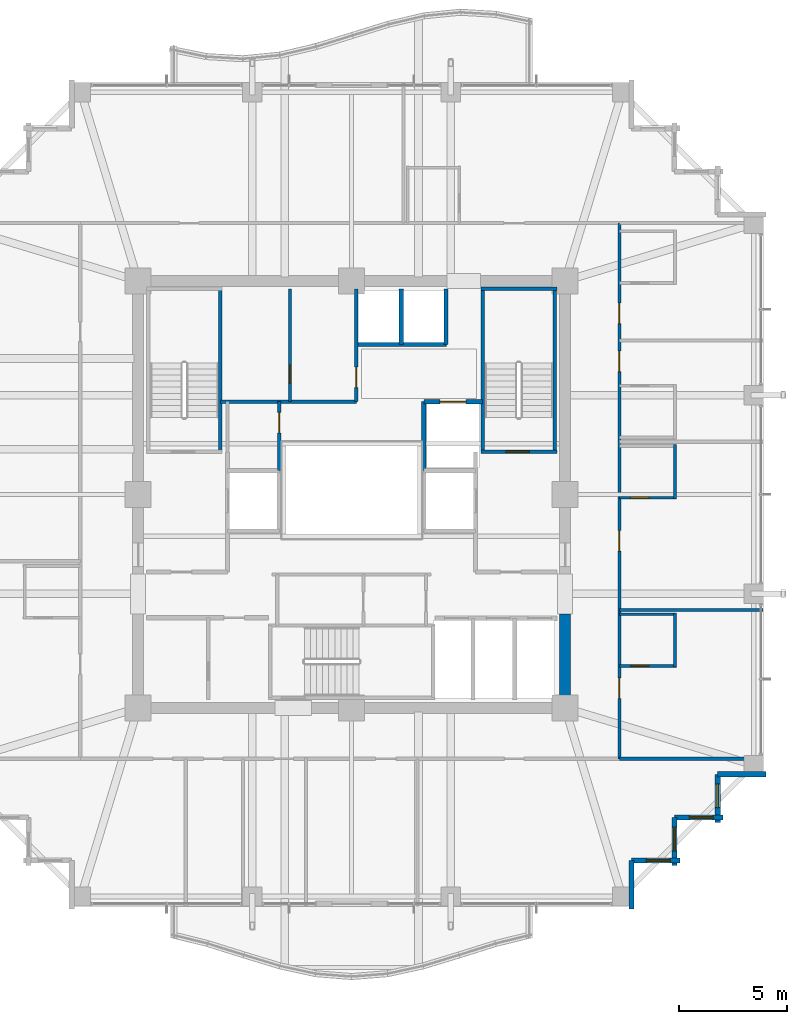
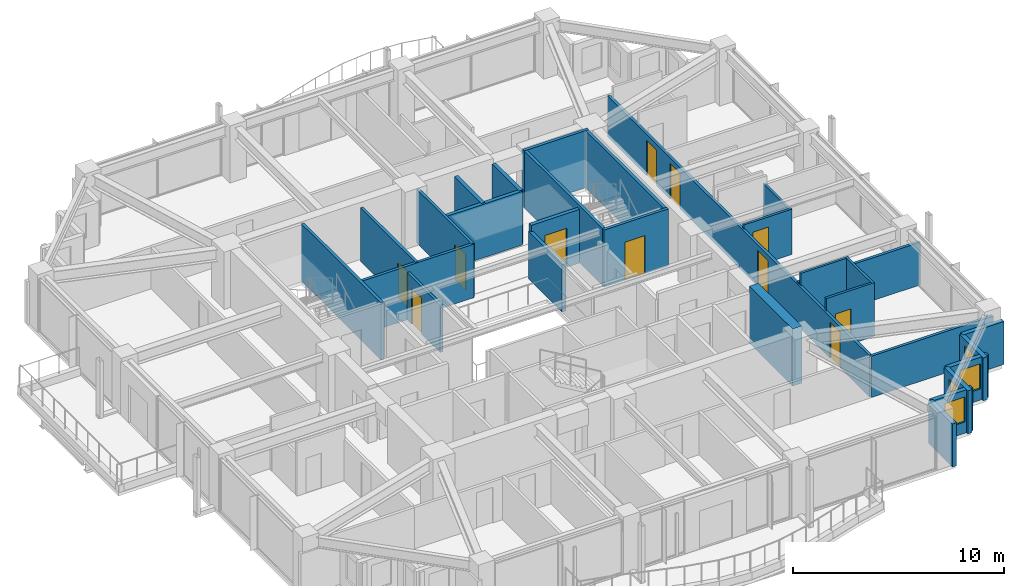
# One storey, part 29 of 34: 29 walls, 11 doors, 4 windows, 15 openings.
"""IFC4 building model written with IfcOpenShell, lengths in metres."""

from ifc_helpers import new_model, si_unit, direction, frame, frame_2d, origin, place, context, subcontext, project, spatial, rectangle, extrude, material, layer, layer_set, type_object, element, fill, save


model = new_model("IFC4")

# Units and contexts
model_context = context("Model", 3, precision=1e-05, world=origin(), true_north=direction((0.0, 1.0)))
body_context = subcontext(model_context, "Body", "Model", "MODEL_VIEW")
ifc_project = project(units=[si_unit("LENGTHUNIT", "METRE"), si_unit("AREAUNIT", "SQUARE_METRE"), si_unit("VOLUMEUNIT", "CUBIC_METRE"), si_unit("PLANEANGLEUNIT", "RADIAN"), si_unit("MASSUNIT", "GRAM", prefix="KILO")], contexts=[model_context])

# Site, building, storey
site_placement = place(None, origin())
site = spatial("IfcSite", under=ifc_project, at=site_placement, CompositionType="ELEMENT")
building_placement = place(site_placement, origin())
building = spatial("IfcBuilding", under=site, at=building_placement, Name="Kolvaren Belvedere", CompositionType="ELEMENT")
storey_placement = place(building_placement, frame((0.0, 0.0, 166.800048828125)))
storey = spatial("IfcBuildingStorey", under=building, at=storey_placement, Name="L48", CompositionType="ELEMENT", Elevation=166.800048828125)

# Walls
ifc_material_1 = material(Name="Concrete C50/60", Category="concrete")
ifc_layer_1 = layer(ifc_material_1, 0.5)
ifc_layer_set_1 = layer_set([ifc_layer_1], Name="Concrete C50/60")
wall_type_1 = type_object("IfcWallType", Name="CW-CORE-500", PredefinedType="SHEAR", material=ifc_layer_set_1)
wall_1_placement = place(storey_placement, frame((9.89990234375, -9.64990234375, 0.0), z_axis=(0.0, 0.0, 1.0), x_axis=(0.0, 1.0, 0.0)))
element("IfcWall", 1, at=wall_1_placement, inside=storey, type_object=wall_type_1, Name="L48 East Core Shear Wall 1", PredefinedType="SHEAR", context=body_context, shape_type="SweptSolid", body=[
    extrude(rectangle(XDim=4.099853515625, YDim=0.5, at=frame_2d((2.0498046875, 0.0))), origin(), (0.0, 0.0, 1.0), 3.300048828125),
])
ifc_material_2 = material(Name="Concrete C50/60", Category="concrete")
ifc_layer_2 = layer(ifc_material_2, 0.159912109375)
ifc_layer_set_2 = layer_set([ifc_layer_2], Name="Concrete C50/60")
wall_type_2 = type_object("IfcWallType", Name="CW-STAIR-160", PredefinedType="SHEAR", material=ifc_layer_set_2)
wall_2_placement = place(storey_placement, frame((-6.080078125, 1.969970703125, 0.0), z_axis=(0.0, 0.0, 1.0), x_axis=(0.0, 1.0, 0.0)))
element("IfcWall", 2, at=wall_2_placement, inside=storey, type_object=wall_type_2, Name="L48 Stair ST-1 East Shear Wall", PredefinedType="SHEAR", context=body_context, shape_type="SweptSolid", body=[
    extrude(rectangle(XDim=7.56005859375, YDim=0.159912109375, at=frame_2d((3.780029296875, 0.0))), origin(), (0.0, 0.0, 1.0), 3.300048828125),
])

# Wall, opening, door
wall_3_placement = place(storey_placement, frame((6.0, 1.969970703125, 0.0), z_axis=(0.0, 0.0, 1.0), x_axis=(1.0, 0.0, 0.0)))
wall_3 = element("IfcWall", 3, at=wall_3_placement, inside=storey, type_object=wall_type_2, Name="L48 Stair ST-2 South Shear Wall", PredefinedType="SHEAR", context=body_context, shape_type="SweptSolid", body=[
    extrude(rectangle(XDim=3.52001953125, YDim=0.159912109375, at=frame_2d((1.760009765625, 0.0))), origin(), (0.0, 0.0, 1.0), 3.300048828125),
])
opening_1_placement = place(wall_3_placement, frame((1.14990234375, 0.0, 0.0)))
opening_1 = element("IfcOpeningElement", 4, at=opening_1_placement, cuts=wall_3, Name="Opening D-FD90", PredefinedType="OPENING", context=body_context, shape_type="SweptSolid", body=[
    extrude(rectangle(XDim=1.10009765625, YDim=2.199951171875, at=frame_2d((0.550048828125, 1.10009765625))), frame((0.0, 0.08984375, 0.0), z_axis=(0.0, -1.0, 0.0), x_axis=(1.0, 0.0, 0.0)), (0.0, 0.0, 1.0), 0.179931640625),
])
ifc_material_3 = material(Name="Painted hollow stainless steel", Category="steel")
door_type_1 = type_object("IfcDoorType", Name="DR-FD90-1100", OperationType="NOTDEFINED", PredefinedType="DOOR", material=ifc_material_3)
door_1_placement = place(opening_1_placement, origin())
door_1 = element("IfcDoor", 5, at=door_1_placement, inside=storey, type_object=door_type_1, Name="L48 Stair ST-2 Fire Door", OperationType="SINGLE_SWING_RIGHT", OverallHeight=2.199951171875, OverallWidth=1.10009765625, PredefinedType="DOOR", context=body_context, shape_type="SweptSolid", body=[
    extrude(rectangle(XDim=1.10009765625, YDim=2.199951171875, at=frame_2d((0.550048828125, 1.10009765625))), frame((0.0, 0.02490234375, 0.0), z_axis=(0.0, -1.0, 0.0), x_axis=(1.0, 0.0, 0.0)), (0.0, 0.0, 1.0), 0.050048828125),
])
fill(opening_1, door_1)

# Walls
wall_4_placement = place(storey_placement, frame((6.0, 9.530029296875, 0.0), z_axis=(0.0, 0.0, 1.0), x_axis=(1.0, 0.0, 0.0)))
element("IfcWall", 6, at=wall_4_placement, inside=storey, type_object=wall_type_2, Name="L48 Stair ST-2 North Shear Wall", PredefinedType="SHEAR", context=body_context, shape_type="SweptSolid", body=[
    extrude(rectangle(XDim=3.52001953125, YDim=0.159912109375, at=frame_2d((1.760009765625, 0.0))), origin(), (0.0, 0.0, 1.0), 3.300048828125),
])
for number, where, z_axis, x_axis, name in (
    (7, (6.080078125, 1.969970703125, 0.0), (0.0, 0.0, 1.0), (0.0, 1.0, 0.0), "L48 Stair ST-2 West Shear Wall"),
    (8, (9.429931640625, 1.969970703125, 0.0), (0.0, 0.0, 1.0), (0.0, 1.0, 0.0), "L48 Stair ST-2 East Shear Wall"),
):
    element("IfcWall", number, at=place(storey_placement, frame(where, z_axis=z_axis, x_axis=x_axis)), inside=storey, type_object=wall_type_2, Name=name, PredefinedType="SHEAR", context=body_context, shape_type="SweptSolid", body=[
        extrude(rectangle(XDim=7.56005859375, YDim=0.159912109375, at=frame_2d((3.780029296875, 0.0))), origin(), (0.0, 0.0, 1.0), 3.300048828125),
    ])

# Wall, openings, doors
ifc_material_4 = material(Name="Gypsum fire-rated partition assembly", Category="gypsum")
ifc_layer_3 = layer(ifc_material_4, 0.14990234375)
ifc_layer_set_3 = layer_set([ifc_layer_3], Name="Gypsum fire-rated partition assembly")
wall_type_3 = type_object("IfcWallType", Name="WL-CORR-150", PredefinedType="PARTITIONING", material=ifc_layer_set_3)
wall_5_placement = place(storey_placement, frame((12.419921875, -12.260009765625, 0.0), z_axis=(0.0, 0.0, 1.0), x_axis=(0.0, 1.0, 0.0)))
wall_5 = element("IfcWall", 9, at=wall_5_placement, inside=storey, type_object=wall_type_3, Name="L48 East Corridor Wall", PredefinedType="PARTITIONING", context=body_context, shape_type="SweptSolid", body=[
    extrude(rectangle(XDim=24.840087890625, YDim=0.14990234375, at=frame_2d((12.419921875, 0.0))), origin(), (0.0, 0.0, 1.0), 2.388916015625),
])
opening_2_placement = place(wall_5_placement, frame((2.797607421875, 0.0, 0.0)))
opening_2 = element("IfcOpeningElement", 10, at=opening_2_placement, cuts=wall_5, Name="Opening D-FD60", PredefinedType="OPENING", context=body_context, shape_type="SweptSolid", body=[
    extrude(rectangle(XDim=0.949951171875, YDim=2.06005859375, at=frame_2d((0.47509765625, 1.030029296875))), frame((0.0, 0.0849609375, 0.0), z_axis=(0.0, -1.0, 0.0), x_axis=(1.0, 0.0, 0.0)), (0.0, 0.0, 1.0), 0.169921875),
])
opening_3_placement = place(wall_5_placement, frame((9.632568359375, 0.0, 0.0)))
opening_3 = element("IfcOpeningElement", 11, at=opening_3_placement, cuts=wall_5, Name="Opening D-FD60", PredefinedType="OPENING", context=body_context, shape_type="SweptSolid", body=[
    extrude(rectangle(XDim=0.949951171875, YDim=2.06005859375, at=frame_2d((0.47509765625, 1.030029296875))), frame((0.0, 0.0849609375, 0.0), z_axis=(0.0, -1.0, 0.0), x_axis=(1.0, 0.0, 0.0)), (0.0, 0.0, 1.0), 0.169921875),
])
opening_4_placement = place(wall_5_placement, frame((17.9580078125, 0.0, 0.0)))
opening_4 = element("IfcOpeningElement", 12, at=opening_4_placement, cuts=wall_5, Name="Opening D-FD60", PredefinedType="OPENING", context=body_context, shape_type="SweptSolid", body=[
    extrude(rectangle(XDim=0.949951171875, YDim=2.06005859375, at=frame_2d((0.47509765625, 1.030029296875))), frame((0.0, 0.0849609375, 0.0), z_axis=(0.0, -1.0, 0.0), x_axis=(1.0, 0.0, 0.0)), (0.0, 0.0, 1.0), 0.169921875),
])
opening_5_placement = place(wall_5_placement, frame((20.18359375, 0.0, 0.0)))
opening_5 = element("IfcOpeningElement", 13, at=opening_5_placement, cuts=wall_5, Name="Opening D-FD60", PredefinedType="OPENING", context=body_context, shape_type="SweptSolid", body=[
    extrude(rectangle(XDim=0.949951171875, YDim=2.06005859375, at=frame_2d((0.47509765625, 1.030029296875))), frame((0.0, 0.0849609375, 0.0), z_axis=(0.0, -1.0, 0.0), x_axis=(1.0, 0.0, 0.0)), (0.0, 0.0, 1.0), 0.169921875),
])
ifc_material_5 = material(Name="Acoustic white-oak fire door leaf", Category="timber")
door_type_2 = type_object("IfcDoorType", Name="DR-FD60-950", OperationType="NOTDEFINED", PredefinedType="DOOR", material=ifc_material_5)
door_2_placement = place(opening_2_placement, origin())
door_2 = element("IfcDoor", 14, at=door_2_placement, inside=storey, type_object=door_type_2, Name="L48 Botanical Hospitality Suite 4804 Entry Door", OperationType="SINGLE_SWING_RIGHT", OverallHeight=2.06005859375, OverallWidth=0.949951171875, PredefinedType="DOOR", context=body_context, shape_type="SweptSolid", body=[
    extrude(rectangle(XDim=0.949951171875, YDim=2.06005859375, at=frame_2d((0.47509765625, 1.030029296875))), frame((0.0, 0.02490234375, 0.0), z_axis=(0.0, -1.0, 0.0), x_axis=(1.0, 0.0, 0.0)), (0.0, 0.0, 1.0), 0.050048828125),
])
fill(opening_2, door_2)
door_3_placement = place(opening_3_placement, origin())
door_3 = element("IfcDoor", 15, at=door_3_placement, inside=storey, type_object=door_type_2, Name="L48 Botanical Hospitality Suite 4805 Entry Door", OperationType="SINGLE_SWING_RIGHT", OverallHeight=2.06005859375, OverallWidth=0.949951171875, PredefinedType="DOOR", context=body_context, shape_type="SweptSolid", body=[
    extrude(rectangle(XDim=0.949951171875, YDim=2.06005859375, at=frame_2d((0.47509765625, 1.030029296875))), frame((0.0, 0.02490234375, 0.0), z_axis=(0.0, -1.0, 0.0), x_axis=(1.0, 0.0, 0.0)), (0.0, 0.0, 1.0), 0.050048828125),
])
fill(opening_3, door_3)
door_4_placement = place(opening_4_placement, origin())
door_4 = element("IfcDoor", 16, at=door_4_placement, inside=storey, type_object=door_type_2, Name="L48 King Guest Room 4806 Entry Door", OperationType="SINGLE_SWING_RIGHT", OverallHeight=2.06005859375, OverallWidth=0.949951171875, PredefinedType="DOOR", context=body_context, shape_type="SweptSolid", body=[
    extrude(rectangle(XDim=0.949951171875, YDim=2.06005859375, at=frame_2d((0.47509765625, 1.030029296875))), frame((0.0, 0.02490234375, 0.0), z_axis=(0.0, -1.0, 0.0), x_axis=(1.0, 0.0, 0.0)), (0.0, 0.0, 1.0), 0.050048828125),
])
fill(opening_4, door_4)
door_5_placement = place(opening_5_placement, origin())
door_5 = element("IfcDoor", 17, at=door_5_placement, inside=storey, type_object=door_type_2, Name="L48 Botanical Hospitality Suite 4807 Entry Door", OperationType="SINGLE_SWING_RIGHT", OverallHeight=2.06005859375, OverallWidth=0.949951171875, PredefinedType="DOOR", context=body_context, shape_type="SweptSolid", body=[
    extrude(rectangle(XDim=0.949951171875, YDim=2.06005859375, at=frame_2d((0.47509765625, 1.030029296875))), frame((0.0, 0.02490234375, 0.0), z_axis=(0.0, -1.0, 0.0), x_axis=(1.0, 0.0, 0.0)), (0.0, 0.0, 1.0), 0.050048828125),
])
fill(opening_5, door_5)

# Wall
ifc_material_6 = material(Name="Insulated pale-metal facade wall assembly", Category="aluminium")
ifc_layer_4 = layer(ifc_material_6, 0.239990234375)
ifc_layer_set_4 = layer_set([ifc_layer_4], Name="Insulated pale-metal facade wall assembly")
wall_type_4 = type_object("IfcWallType", Name="WL-EXT-240", PredefinedType="STANDARD", material=ifc_layer_set_4)
wall_6_placement = place(storey_placement, frame((12.97998046875, -16.97998046875, 0.0), z_axis=(0.0, 0.0, 1.0), x_axis=(0.0, -1.0, 0.0)))
element("IfcWall", 18, at=wall_6_placement, inside=storey, type_object=wall_type_4, Name="L48 Serrated Corner Facade Wall 2", PredefinedType="STANDARD", context=body_context, shape_type="SweptSolid", body=[
    extrude(rectangle(XDim=2.239990234375, YDim=0.239990234375, at=frame_2d((1.1201171875, 0.0))), origin(), (0.0, 0.0, 1.0), 2.48291015625),
])

# Wall, opening, window
wall_7_placement = place(storey_placement, frame((15.219970703125, -16.97998046875, 0.0), z_axis=(0.0, 0.0, 1.0), x_axis=(-1.0, 0.0, 0.0)))
wall_7 = element("IfcWall", 19, at=wall_7_placement, inside=storey, type_object=wall_type_4, Name="L48 Serrated Corner Facade Wall 3", PredefinedType="STANDARD", context=body_context, shape_type="SweptSolid", body=[
    extrude(rectangle(XDim=2.239990234375, YDim=0.239990234375, at=frame_2d((1.1201171875, 0.0))), origin(), (0.0, 0.0, 1.0), 2.48291015625),
])
opening_6_placement = place(wall_7_placement, frame((0.449951171875, 0.0, 0.64990234375)))
opening_6 = element("IfcOpeningElement", 20, at=opening_6_placement, cuts=wall_7, Name="Opening W-1100", PredefinedType="OPENING", context=body_context, shape_type="SweptSolid", body=[
    extrude(rectangle(XDim=1.10009765625, YDim=1.449951171875, at=frame_2d((0.550048828125, 0.72509765625))), frame((0.0, 0.1298828125, 0.0), z_axis=(0.0, -1.0, 0.0), x_axis=(1.0, 0.0, 0.0)), (0.0, 0.0, 1.0), 0.260009765625),
])
ifc_material_7 = material(Name="Low-iron triple insulated glass", Category="glass")
window_type = type_object("IfcWindowType", Name="WN-CORN-1100", PartitioningType="SINGLE_PANEL", PredefinedType="WINDOW", material=ifc_material_7)
window_1_placement = place(opening_6_placement, origin())
window_1 = element("IfcWindow", 21, at=window_1_placement, inside=storey, type_object=window_type, Name="L48 Serrated Corner Vision Window 3", OverallHeight=1.449951171875, OverallWidth=1.10009765625, PartitioningType="SINGLE_PANEL", PredefinedType="WINDOW", context=body_context, shape_type="SweptSolid", body=[
    extrude(rectangle(XDim=1.10009765625, YDim=1.449951171875, at=frame_2d((0.550048828125, 0.72509765625))), frame((0.0, 0.030029296875, 0.0), z_axis=(0.0, -1.0, 0.0), x_axis=(1.0, 0.0, 0.0)), (0.0, 0.0, 1.0), 0.06005859375),
])
fill(opening_6, window_1)

wall_8_placement = place(storey_placement, frame((14.97998046875, -14.97998046875, 0.0), z_axis=(0.0, 0.0, 1.0), x_axis=(0.0, -1.0, 0.0)))
wall_8 = element("IfcWall", 22, at=wall_8_placement, inside=storey, type_object=wall_type_4, Name="L48 Serrated Corner Facade Wall 4", PredefinedType="STANDARD", context=body_context, shape_type="SweptSolid", body=[
    extrude(rectangle(XDim=2.239990234375, YDim=0.239990234375, at=frame_2d((1.1201171875, 0.0))), origin(), (0.0, 0.0, 1.0), 2.48291015625),
])
opening_7_placement = place(wall_8_placement, frame((0.449951171875, 0.0, 0.64990234375)))
opening_7 = element("IfcOpeningElement", 23, at=opening_7_placement, cuts=wall_8, Name="Opening W-1100", PredefinedType="OPENING", context=body_context, shape_type="SweptSolid", body=[
    extrude(rectangle(XDim=1.10009765625, YDim=1.449951171875, at=frame_2d((0.550048828125, 0.72509765625))), frame((0.0, 0.1298828125, 0.0), z_axis=(0.0, -1.0, 0.0), x_axis=(1.0, 0.0, 0.0)), (0.0, 0.0, 1.0), 0.260009765625),
])
window_2_placement = place(opening_7_placement, origin())
window_2 = element("IfcWindow", 24, at=window_2_placement, inside=storey, type_object=window_type, Name="L48 Serrated Corner Vision Window 4", OverallHeight=1.449951171875, OverallWidth=1.10009765625, PartitioningType="SINGLE_PANEL", PredefinedType="WINDOW", context=body_context, shape_type="SweptSolid", body=[
    extrude(rectangle(XDim=1.10009765625, YDim=1.449951171875, at=frame_2d((0.550048828125, 0.72509765625))), frame((0.0, 0.030029296875, 0.0), z_axis=(0.0, -1.0, 0.0), x_axis=(1.0, 0.0, 0.0)), (0.0, 0.0, 1.0), 0.06005859375),
])
fill(opening_7, window_2)

wall_9_placement = place(storey_placement, frame((17.219970703125, -14.97998046875, 0.0), z_axis=(0.0, 0.0, 1.0), x_axis=(-1.0, 0.0, 0.0)))
wall_9 = element("IfcWall", 25, at=wall_9_placement, inside=storey, type_object=wall_type_4, Name="L48 Serrated Corner Facade Wall 5", PredefinedType="STANDARD", context=body_context, shape_type="SweptSolid", body=[
    extrude(rectangle(XDim=2.239990234375, YDim=0.239990234375, at=frame_2d((1.1201171875, 0.0))), origin(), (0.0, 0.0, 1.0), 2.48291015625),
])
opening_8_placement = place(wall_9_placement, frame((0.449951171875, 0.0, 0.64990234375)))
opening_8 = element("IfcOpeningElement", 26, at=opening_8_placement, cuts=wall_9, Name="Opening W-1100", PredefinedType="OPENING", context=body_context, shape_type="SweptSolid", body=[
    extrude(rectangle(XDim=1.10009765625, YDim=1.449951171875, at=frame_2d((0.550048828125, 0.72509765625))), frame((0.0, 0.1298828125, 0.0), z_axis=(0.0, -1.0, 0.0), x_axis=(1.0, 0.0, 0.0)), (0.0, 0.0, 1.0), 0.260009765625),
])
window_3_placement = place(opening_8_placement, origin())
window_3 = element("IfcWindow", 27, at=window_3_placement, inside=storey, type_object=window_type, Name="L48 Serrated Corner Vision Window 5", OverallHeight=1.449951171875, OverallWidth=1.10009765625, PartitioningType="SINGLE_PANEL", PredefinedType="WINDOW", context=body_context, shape_type="SweptSolid", body=[
    extrude(rectangle(XDim=1.10009765625, YDim=1.449951171875, at=frame_2d((0.550048828125, 0.72509765625))), frame((0.0, 0.030029296875, 0.0), z_axis=(0.0, -1.0, 0.0), x_axis=(1.0, 0.0, 0.0)), (0.0, 0.0, 1.0), 0.06005859375),
])
fill(opening_8, window_3)

wall_10_placement = place(storey_placement, frame((16.97998046875, -12.97998046875, 0.0), z_axis=(0.0, 0.0, 1.0), x_axis=(0.0, -1.0, 0.0)))
wall_10 = element("IfcWall", 28, at=wall_10_placement, inside=storey, type_object=wall_type_4, Name="L48 Serrated Corner Facade Wall 6", PredefinedType="STANDARD", context=body_context, shape_type="SweptSolid", body=[
    extrude(rectangle(XDim=2.239990234375, YDim=0.239990234375, at=frame_2d((1.1201171875, 0.0))), origin(), (0.0, 0.0, 1.0), 2.48291015625),
])
opening_9_placement = place(wall_10_placement, frame((0.449951171875, 0.0, 0.64990234375)))
opening_9 = element("IfcOpeningElement", 29, at=opening_9_placement, cuts=wall_10, Name="Opening W-1100", PredefinedType="OPENING", context=body_context, shape_type="SweptSolid", body=[
    extrude(rectangle(XDim=1.10009765625, YDim=1.449951171875, at=frame_2d((0.550048828125, 0.72509765625))), frame((0.0, 0.1298828125, 0.0), z_axis=(0.0, -1.0, 0.0), x_axis=(1.0, 0.0, 0.0)), (0.0, 0.0, 1.0), 0.260009765625),
])
window_4_placement = place(opening_9_placement, origin())
window_4 = element("IfcWindow", 30, at=window_4_placement, inside=storey, type_object=window_type, Name="L48 Serrated Corner Vision Window 6", OverallHeight=1.449951171875, OverallWidth=1.10009765625, PartitioningType="SINGLE_PANEL", PredefinedType="WINDOW", context=body_context, shape_type="SweptSolid", body=[
    extrude(rectangle(XDim=1.10009765625, YDim=1.449951171875, at=frame_2d((0.550048828125, 0.72509765625))), frame((0.0, 0.030029296875, 0.0), z_axis=(0.0, -1.0, 0.0), x_axis=(1.0, 0.0, 0.0)), (0.0, 0.0, 1.0), 0.06005859375),
])
fill(opening_9, window_4)

# Walls
wall_11_placement = place(storey_placement, frame((19.219970703125, -12.97998046875, 0.0), z_axis=(0.0, 0.0, 1.0), x_axis=(-1.0, 0.0, 0.0)))
element("IfcWall", 31, at=wall_11_placement, inside=storey, type_object=wall_type_4, Name="L48 Serrated Corner Facade Wall 7", PredefinedType="STANDARD", context=body_context, shape_type="SweptSolid", body=[
    extrude(rectangle(XDim=2.239990234375, YDim=0.239990234375, at=frame_2d((1.1201171875, 0.0))), origin(), (0.0, 0.0, 1.0), 2.48291015625),
])
ifc_material_8 = material(Name="Gypsum acoustic partition assembly", Category="gypsum")
ifc_layer_5 = layer(ifc_material_8, 0.14990234375)
ifc_layer_set_5 = layer_set([ifc_layer_5], Name="Gypsum acoustic partition assembly")
wall_type_5 = type_object("IfcWallType", Name="WL-PART-150", PredefinedType="PARTITIONING", material=ifc_layer_set_5)
wall_12_placement = place(storey_placement, frame((-6.080078125, 4.300048828125, 0.0), z_axis=(0.0, 0.0, 1.0), x_axis=(1.0, 0.0, 0.0)))
element("IfcWall", 32, at=wall_12_placement, inside=storey, type_object=wall_type_5, Name="L48 Reclaimed Salon South Wall", PredefinedType="PARTITIONING", context=body_context, shape_type="SweptSolid", body=[
    extrude(rectangle(XDim=6.300048828125, YDim=0.14990234375, at=frame_2d((3.14990234375, 0.0))), origin(), (0.0, 0.0, 1.0), 3.099853515625),
])

# Wall, opening, door
wall_13_placement = place(storey_placement, frame((0.219970703125, 4.300048828125, 0.0), z_axis=(0.0, 0.0, 1.0), x_axis=(0.0, 1.0, 0.0)))
wall_13 = element("IfcWall", 33, at=wall_13_placement, inside=storey, type_object=wall_type_5, Name="L48 Reclaimed Salon East Wall", PredefinedType="PARTITIONING", context=body_context, shape_type="SweptSolid", body=[
    extrude(rectangle(XDim=5.219970703125, YDim=0.14990234375, at=frame_2d((2.60986328125, 0.0))), origin(), (0.0, 0.0, 1.0), 3.099853515625),
])
opening_10_placement = place(wall_13_placement, frame((0.64990234375, 0.0, 0.0)))
opening_10 = element("IfcOpeningElement", 34, at=opening_10_placement, cuts=wall_13, Name="Opening D-INT95", PredefinedType="OPENING", context=body_context, shape_type="SweptSolid", body=[
    extrude(rectangle(XDim=0.949951171875, YDim=2.06005859375, at=frame_2d((0.47509765625, 1.030029296875))), frame((0.0, 0.0849609375, 0.0), z_axis=(0.0, -1.0, 0.0), x_axis=(1.0, 0.0, 0.0)), (0.0, 0.0, 1.0), 0.169921875),
])
ifc_material_9 = material(Name="Stained Pacific white oak", Category="timber")
door_type_3 = type_object("IfcDoorType", Name="DR-INT-950", OperationType="NOTDEFINED", PredefinedType="DOOR", material=ifc_material_9)
door_6_placement = place(opening_10_placement, origin())
door_6 = element("IfcDoor", 35, at=door_6_placement, inside=storey, type_object=door_type_3, Name="L48 Sky Boardroom Door", OperationType="SINGLE_SWING_LEFT", OverallHeight=2.06005859375, OverallWidth=0.949951171875, PredefinedType="DOOR", context=body_context, shape_type="SweptSolid", body=[
    extrude(rectangle(XDim=0.949951171875, YDim=2.06005859375, at=frame_2d((0.47509765625, 1.030029296875))), frame((0.0, 0.02490234375, 0.0), z_axis=(0.0, -1.0, 0.0), x_axis=(1.0, 0.0, 0.0)), (0.0, 0.0, 1.0), 0.050048828125),
])
fill(opening_10, door_6)

wall_14_placement = place(storey_placement, frame((-2.85009765625, 4.300048828125, 0.0), z_axis=(0.0, 0.0, 1.0), x_axis=(0.0, 1.0, 0.0)))
wall_14 = element("IfcWall", 36, at=wall_14_placement, inside=storey, type_object=wall_type_5, Name="L48 Reclaimed Salon Divider", PredefinedType="PARTITIONING", context=body_context, shape_type="SweptSolid", body=[
    extrude(rectangle(XDim=5.219970703125, YDim=0.14990234375, at=frame_2d((2.60986328125, 0.0))), origin(), (0.0, 0.0, 1.0), 3.099853515625),
])
opening_11_placement = place(wall_14_placement, frame((0.85009765625, 0.0, 0.0)))
opening_11 = element("IfcOpeningElement", 37, at=opening_11_placement, cuts=wall_14, Name="Opening D-INT85", PredefinedType="OPENING", context=body_context, shape_type="SweptSolid", body=[
    extrude(rectangle(XDim=0.85009765625, YDim=2.030029296875, at=frame_2d((0.425048828125, 1.01513671875))), frame((0.0, 0.0849609375, 0.0), z_axis=(0.0, -1.0, 0.0), x_axis=(1.0, 0.0, 0.0)), (0.0, 0.0, 1.0), 0.169921875),
])
ifc_material_10 = material(Name="Stained Pacific white oak", Category="timber")
door_type_4 = type_object("IfcDoorType", Name="DR-INT-850", OperationType="NOTDEFINED", PredefinedType="DOOR", material=ifc_material_10)
door_7_placement = place(opening_11_placement, origin())
door_7 = element("IfcDoor", 38, at=door_7_placement, inside=storey, type_object=door_type_4, Name="L48 Beverage Pantry Door", OperationType="SINGLE_SWING_RIGHT", OverallHeight=2.030029296875, OverallWidth=0.85009765625, PredefinedType="DOOR", context=body_context, shape_type="SweptSolid", body=[
    extrude(rectangle(XDim=0.85009765625, YDim=2.030029296875, at=frame_2d((0.425048828125, 1.01513671875))), frame((0.0, 0.02490234375, 0.0), z_axis=(0.0, -1.0, 0.0), x_axis=(1.0, 0.0, 0.0)), (0.0, 0.0, 1.0), 0.050048828125),
])
fill(opening_11, door_7)

wall_15_placement = place(storey_placement, frame((-3.35009765625, 1.10009765625, 0.0), z_axis=(0.0, 0.0, 1.0), x_axis=(0.0, 1.0, 0.0)))
wall_15 = element("IfcWall", 39, at=wall_15_placement, inside=storey, type_object=wall_type_5, Name="L48 NW Service Room East Wall", PredefinedType="PARTITIONING", context=body_context, shape_type="SweptSolid", body=[
    extrude(rectangle(XDim=3.199951171875, YDim=0.14990234375, at=frame_2d((1.60009765625, 0.0))), origin(), (0.0, 0.0, 1.0), 2.73486328125),
])
opening_12_placement = place(wall_15_placement, frame((1.75, 0.0, 0.0)))
opening_12 = element("IfcOpeningElement", 40, at=opening_12_placement, cuts=wall_15, Name="Opening D-FD60", PredefinedType="OPENING", context=body_context, shape_type="SweptSolid", body=[
    extrude(rectangle(XDim=0.949951171875, YDim=2.06005859375, at=frame_2d((0.47509765625, 1.030029296875))), frame((0.0, 0.0849609375, 0.0), z_axis=(0.0, -1.0, 0.0), x_axis=(1.0, 0.0, 0.0)), (0.0, 0.0, 1.0), 0.169921875),
])
door_8_placement = place(opening_12_placement, origin())
door_8 = element("IfcDoor", 41, at=door_8_placement, inside=storey, type_object=door_type_2, Name="L48 NW Core Store Door", OperationType="SINGLE_SWING_LEFT", OverallHeight=2.06005859375, OverallWidth=0.949951171875, PredefinedType="DOOR", context=body_context, shape_type="SweptSolid", body=[
    extrude(rectangle(XDim=0.949951171875, YDim=2.06005859375, at=frame_2d((0.47509765625, 1.030029296875))), frame((0.0, 0.02490234375, 0.0), z_axis=(0.0, -1.0, 0.0), x_axis=(1.0, 0.0, 0.0)), (0.0, 0.0, 1.0), 0.050048828125),
])
fill(opening_12, door_8)

# Walls
wall_16_placement = place(storey_placement, frame((12.419921875, -12.260009765625, 0.0), z_axis=(0.0, 0.0, 1.0), x_axis=(1.0, 0.0, 0.0)))
element("IfcWall", 42, at=wall_16_placement, inside=storey, type_object=wall_type_5, Name="L48 Wing Divider PW-L48-QSE", PredefinedType="PARTITIONING", context=body_context, shape_type="SweptSolid", body=[
    extrude(rectangle(XDim=6.66015625, YDim=0.14990234375, at=frame_2d((3.330078125, 0.0))), origin(), (0.0, 0.0, 1.0), 2.388916015625),
])
wall_17_placement = place(storey_placement, frame((12.419921875, -5.360107421875, 0.0), z_axis=(0.0, 0.0, 1.0), x_axis=(1.0, 0.0, 0.0)))
element("IfcWall", 43, at=wall_17_placement, inside=storey, type_object=wall_type_5, Name="L48 East Suite Demising Wall 1", PredefinedType="PARTITIONING", context=body_context, shape_type="SweptSolid", body=[
    extrude(rectangle(XDim=6.66015625, YDim=0.14990234375, at=frame_2d((3.330078125, 0.0))), origin(), (0.0, 0.0, 1.0), 2.472900390625),
])

# Wall, opening, door
ifc_material_11 = material(Name="Concrete C50/60", Category="concrete")
ifc_layer_6 = layer(ifc_material_11, 0.199951171875)
ifc_layer_set_6 = layer_set([ifc_layer_6], Name="Concrete C50/60")
wall_type_6 = type_object("IfcWallType", Name="WL-SHAFT-200", PredefinedType="SOLIDWALL", material=ifc_layer_set_6)
wall_18_placement = place(storey_placement, frame((3.35009765625, 4.300048828125, 0.0), z_axis=(0.0, 0.0, 1.0), x_axis=(1.0, 0.0, 0.0)))
wall_18 = element("IfcWall", 44, at=wall_18_placement, inside=storey, type_object=wall_type_6, Name="L48 Service Lift SV1 Front Wall", PredefinedType="SOLIDWALL", context=body_context, shape_type="SweptSolid", body=[
    extrude(rectangle(XDim=2.72998046875, YDim=0.199951171875, at=frame_2d((1.364990234375, 0.0))), origin(), (0.0, 0.0, 1.0), 3.099853515625),
])
opening_13_placement = place(wall_18_placement, frame((0.75, 0.0, 0.0)))
opening_13 = element("IfcOpeningElement", 45, at=opening_13_placement, cuts=wall_18, Name="Opening LD-12", PredefinedType="OPENING", context=body_context, shape_type="SweptSolid", body=[
    extrude(rectangle(XDim=1.199951171875, YDim=2.25, at=frame_2d((0.60009765625, 1.125))), frame((0.0, 0.10986328125, 0.0), z_axis=(0.0, -1.0, 0.0), x_axis=(1.0, 0.0, 0.0)), (0.0, 0.0, 1.0), 0.219970703125),
])
ifc_material_12 = material(Name="Brushed stainless steel", Category="steel")
door_type_5 = type_object("IfcDoorType", Name="DR-LIFT-1200", OperationType="DOUBLE_DOOR_SLIDING", PredefinedType="DOOR", material=ifc_material_12)
door_9_placement = place(opening_13_placement, origin())
door_9 = element("IfcDoor", 46, at=door_9_placement, inside=storey, type_object=door_type_5, Name="L48 Service Lift SV1 Landing Door", OperationType="DOUBLE_DOOR_SLIDING", OverallHeight=2.25, OverallWidth=1.199951171875, PredefinedType="DOOR", context=body_context, shape_type="SweptSolid", body=[
    extrude(rectangle(XDim=1.199951171875, YDim=2.25, at=frame_2d((0.60009765625, 1.125))), frame((0.0, 0.02490234375, 0.0), z_axis=(0.0, -1.0, 0.0), x_axis=(1.0, 0.0, 0.0)), (0.0, 0.0, 1.0), 0.050048828125),
])
fill(opening_13, door_9)

# Walls
wall_19_placement = place(storey_placement, frame((3.35009765625, 1.10009765625, 0.0), z_axis=(0.0, 0.0, 1.0), x_axis=(0.0, 1.0, 0.0)))
element("IfcWall", 47, at=wall_19_placement, inside=storey, type_object=wall_type_6, Name="L48 Service Lift SV1 West Wall", PredefinedType="SOLIDWALL", context=body_context, shape_type="SweptSolid", body=[
    extrude(rectangle(XDim=3.199951171875, YDim=0.199951171875, at=frame_2d((1.60009765625, 0.0))), origin(), (0.0, 0.0, 1.0), 2.73486328125),
])
wall_20_placement = place(storey_placement, frame((0.219970703125, 6.949951171875, 0.0), z_axis=(0.0, 0.0, 1.0), x_axis=(1.0, 0.0, 0.0)))
element("IfcWall", 48, at=wall_20_placement, inside=storey, type_object=wall_type_6, Name="L48 Express Shuttle Hoistway Wall", PredefinedType="SOLIDWALL", context=body_context, shape_type="SweptSolid", body=[
    extrude(rectangle(XDim=4.179931640625, YDim=0.199951171875, at=frame_2d((2.08984375, 0.0))), origin(), (0.0, 0.0, 1.0), 3.099853515625),
])
for number, where, z_axis, x_axis, name in (
    (49, (4.3798828125, 6.949951171875, 0.0), (0.0, 0.0, 1.0), (0.0, 1.0, 0.0), "L48 Express Shuttle East Wall"),
    (50, (2.31005859375, 6.949951171875, 0.0), (0.0, 0.0, 1.0), (0.0, 1.0, 0.0), "L48 Express Shuttle Divider"),
):
    element("IfcWall", number, at=place(storey_placement, frame(where, z_axis=z_axis, x_axis=x_axis)), inside=storey, type_object=wall_type_6, Name=name, PredefinedType="SOLIDWALL", context=body_context, shape_type="SweptSolid", body=[
        extrude(rectangle(XDim=2.570068359375, YDim=0.199951171875, at=frame_2d((1.28515625, 0.0))), origin(), (0.0, 0.0, 1.0), 3.099853515625),
    ])

# Wall, opening, door
ifc_material_13 = material(Name="Moisture-resistant gypsum partition", Category="gypsum")
ifc_layer_7 = layer(ifc_material_13, 0.125)
ifc_layer_set_7 = layer_set([ifc_layer_7], Name="Moisture-resistant gypsum partition")
wall_type_7 = type_object("IfcWallType", Name="WL-WET-125", PredefinedType="PARTITIONING", material=ifc_layer_set_7)
wall_21_placement = place(storey_placement, frame((12.43505859375, -7.955078125, 0.0), z_axis=(0.0, 0.0, 1.0), x_axis=(1.0, 0.0, 0.0)))
wall_21 = element("IfcWall", 51, at=wall_21_placement, inside=storey, type_object=wall_type_7, Name="L48 Bathroom Partition PW-L48-BTH-4-N", PredefinedType="PARTITIONING", context=body_context, shape_type="SweptSolid", body=[
    extrude(rectangle(XDim=2.639892578125, YDim=0.125, at=frame_2d((1.31982421875, 0.0))), origin(), (0.0, 0.0, 1.0), 3.099853515625),
])
opening_14_placement = place(wall_21_placement, frame((0.5, 0.0, 0.0)))
opening_14 = element("IfcOpeningElement", 52, at=opening_14_placement, cuts=wall_21, Name="Opening D-BTH85", PredefinedType="OPENING", context=body_context, shape_type="SweptSolid", body=[
    extrude(rectangle(XDim=0.85009765625, YDim=2.030029296875, at=frame_2d((0.425048828125, 1.01513671875))), frame((0.0, 0.072509765625, 0.0), z_axis=(0.0, -1.0, 0.0), x_axis=(1.0, 0.0, 0.0)), (0.0, 0.0, 1.0), 0.14501953125),
])
ifc_material_14 = material(Name="Moisture-sealed Pacific white oak", Category="timber")
door_type_6 = type_object("IfcDoorType", Name="DR-BATH-850", OperationType="NOTDEFINED", PredefinedType="DOOR", material=ifc_material_14)
door_10_placement = place(opening_14_placement, origin())
door_10 = element("IfcDoor", 53, at=door_10_placement, inside=storey, type_object=door_type_6, Name="L48 En-Suite Bathroom 4804 Door", OperationType="SINGLE_SWING_LEFT", OverallHeight=2.030029296875, OverallWidth=0.85009765625, PredefinedType="DOOR", context=body_context, shape_type="SweptSolid", body=[
    extrude(rectangle(XDim=0.85009765625, YDim=2.030029296875, at=frame_2d((0.425048828125, 1.01513671875))), frame((0.0, 0.02490234375, 0.0), z_axis=(0.0, -1.0, 0.0), x_axis=(1.0, 0.0, 0.0)), (0.0, 0.0, 1.0), 0.050048828125),
])
fill(opening_14, door_10)

# Walls
wall_22_placement = place(storey_placement, frame((14.9951171875, -8.014892578125, 0.0), z_axis=(0.0, 0.0, 1.0), x_axis=(0.0, 1.0, 0.0)))
element("IfcWall", 54, at=wall_22_placement, inside=storey, type_object=wall_type_7, Name="L48 Bathroom Partition PW-L48-BTH-4-V", PredefinedType="PARTITIONING", context=body_context, shape_type="SweptSolid", body=[
    extrude(rectangle(XDim=2.519775390625, YDim=0.125, at=frame_2d((1.259765625, 0.0))), origin(), (0.0, 0.0, 1.0), 3.099853515625),
])
wall_23_placement = place(storey_placement, frame((12.43505859375, -5.554931640625, 0.0), z_axis=(0.0, 0.0, 1.0), x_axis=(1.0, 0.0, 0.0)))
element("IfcWall", 55, at=wall_23_placement, inside=storey, type_object=wall_type_7, Name="L48 Bathroom Partition PW-L48-BTH-4-S", PredefinedType="PARTITIONING", context=body_context, shape_type="SweptSolid", body=[
    extrude(rectangle(XDim=2.639892578125, YDim=0.125, at=frame_2d((1.31982421875, 0.0))), origin(), (0.0, 0.0, 1.0), 3.099853515625),
])

# Wall, opening, door
wall_24_placement = place(storey_placement, frame((12.43505859375, -0.155029296875, 0.0), z_axis=(0.0, 0.0, 1.0), x_axis=(1.0, 0.0, 0.0)))
wall_24 = element("IfcWall", 56, at=wall_24_placement, inside=storey, type_object=wall_type_7, Name="L48 Bathroom Partition PW-L48-BTH-5-N", PredefinedType="PARTITIONING", context=body_context, shape_type="SweptSolid", body=[
    extrude(rectangle(XDim=2.639892578125, YDim=0.125, at=frame_2d((1.31982421875, 0.0))), origin(), (0.0, 0.0, 1.0), 2.625),
])
opening_15_placement = place(wall_24_placement, frame((0.5, 0.0, 0.0)))
opening_15 = element("IfcOpeningElement", 57, at=opening_15_placement, cuts=wall_24, Name="Opening D-BTH85", PredefinedType="OPENING", context=body_context, shape_type="SweptSolid", body=[
    extrude(rectangle(XDim=0.85009765625, YDim=2.030029296875, at=frame_2d((0.425048828125, 1.01513671875))), frame((0.0, 0.072509765625, 0.0), z_axis=(0.0, -1.0, 0.0), x_axis=(1.0, 0.0, 0.0)), (0.0, 0.0, 1.0), 0.14501953125),
])
door_11_placement = place(opening_15_placement, origin())
door_11 = element("IfcDoor", 58, at=door_11_placement, inside=storey, type_object=door_type_6, Name="L48 En-Suite Bathroom 4805 Door", OperationType="SINGLE_SWING_LEFT", OverallHeight=2.030029296875, OverallWidth=0.85009765625, PredefinedType="DOOR", context=body_context, shape_type="SweptSolid", body=[
    extrude(rectangle(XDim=0.85009765625, YDim=2.030029296875, at=frame_2d((0.425048828125, 1.01513671875))), frame((0.0, 0.02490234375, 0.0), z_axis=(0.0, -1.0, 0.0), x_axis=(1.0, 0.0, 0.0)), (0.0, 0.0, 1.0), 0.050048828125),
])
fill(opening_15, door_11)

# Wall
wall_25_placement = place(storey_placement, frame((14.9951171875, -0.215087890625, 0.0), z_axis=(0.0, 0.0, 1.0), x_axis=(0.0, 1.0, 0.0)))
element("IfcWall", 59, at=wall_25_placement, inside=storey, type_object=wall_type_7, Name="L48 Bathroom Partition PW-L48-BTH-5-V", PredefinedType="PARTITIONING", context=body_context, shape_type="SweptSolid", body=[
    extrude(rectangle(XDim=2.52001953125, YDim=0.125, at=frame_2d((1.260009765625, 0.0))), origin(), (0.0, 0.0, 1.0), 2.625),
])

save(model, "model.ifc")
